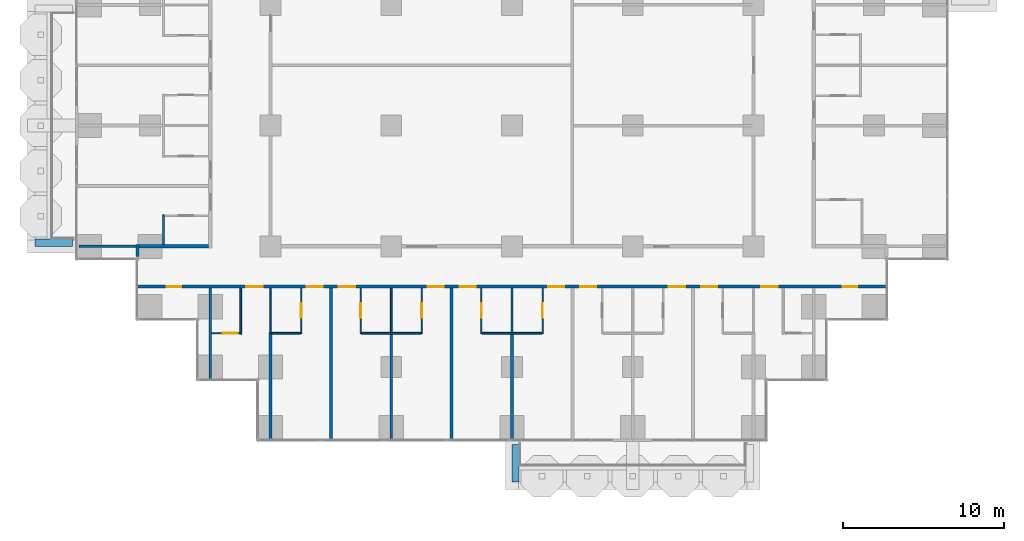
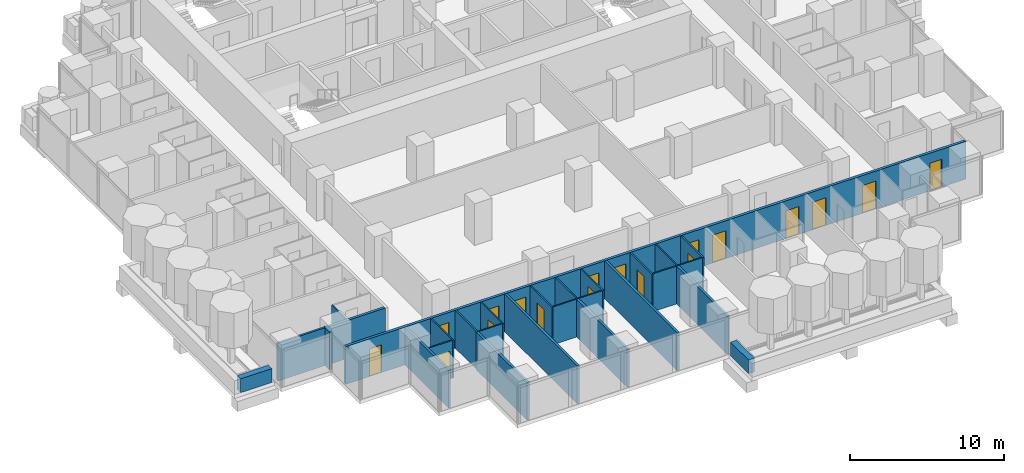
# One storey, part 11 of 20: 26 walls, 18 doors, 18 openings.
"""IFC4 building model written with IfcOpenShell, lengths in metres."""

from ifc_helpers import new_model, si_unit, direction, frame, frame_2d, origin, place, context, subcontext, project, spatial, rectangle, extrude, material, layer, layer_set, type_object, element, fill, save


model = new_model("IFC4")

# Units and contexts
model_context = context("Model", 3, precision=1e-05, world=origin(), true_north=direction((0.0, 1.0)))
body_context = subcontext(model_context, "Body", "Model", "MODEL_VIEW")
ifc_project = project(units=[si_unit("LENGTHUNIT", "METRE"), si_unit("AREAUNIT", "SQUARE_METRE"), si_unit("VOLUMEUNIT", "CUBIC_METRE"), si_unit("PLANEANGLEUNIT", "RADIAN"), si_unit("MASSUNIT", "GRAM", prefix="KILO")], contexts=[model_context])

# Site, building, storey
site_placement = place(None, origin())
site = spatial("IfcSite", under=ifc_project, at=site_placement, CompositionType="ELEMENT")
building_placement = place(site_placement, origin())
building = spatial("IfcBuilding", under=site, at=building_placement, Name="Pilkhan Gate Tower", CompositionType="ELEMENT")
storey_placement = place(building_placement, frame((0.0, 0.0, 85.699951171875)))
storey = spatial("IfcBuildingStorey", under=building, at=storey_placement, Name="L20", CompositionType="ELEMENT", Elevation=85.699951171875)

# Walls
ifc_material_1 = material(Name="Dense blockwork", Category="masonry")
ifc_layer_1 = layer(ifc_material_1, 0.175048828125)
ifc_layer_set_1 = layer_set([ifc_layer_1], Name="Acoustic party wall PW175")
wall_type_1 = type_object("IfcWallType", Name="Acoustic party wall PW175", PredefinedType="PARTITIONING", material=ifc_layer_set_1)
wall_1_placement = place(storey_placement, frame((60.0, 40.485107421875, 0.0), z_axis=(0.0, 0.0, 1.0), x_axis=(0.0, 1.0, 0.0)))
element("IfcWall", 1, at=wall_1_placement, inside=storey, type_object=wall_type_1, Name="Partition L20", PredefinedType="PARTITIONING", context=body_context, shape_type="SweptSolid", body=[
    extrude(rectangle(XDim=6.664794921875, YDim=0.175048828125, at=frame_2d((3.33251953125, 0.0))), origin(), (0.0, 0.0, 1.0), 3.0),
])
wall_2_placement = place(storey_placement, frame((63.75, 40.485107421875, 0.0), z_axis=(0.0, 0.0, 1.0), x_axis=(0.0, 1.0, 0.0)))
element("IfcWall", 2, at=wall_2_placement, inside=storey, type_object=wall_type_1, Name="Partition L20", PredefinedType="PARTITIONING", context=body_context, shape_type="SweptSolid", body=[
    extrude(rectangle(XDim=9.414794921875, YDim=0.175048828125, at=frame_2d((4.70751953125, 0.0))), origin(), (0.0, 0.0, 1.0), 3.0),
])
wall_3_placement = place(storey_placement, frame((67.5, 40.485107421875, 0.0), z_axis=(0.0, 0.0, 1.0), x_axis=(0.0, 1.0, 0.0)))
element("IfcWall", 3, at=wall_3_placement, inside=storey, type_object=wall_type_1, Name="Partition L20", PredefinedType="PARTITIONING", context=body_context, shape_type="SweptSolid", body=[
    extrude(rectangle(XDim=6.56494140625, YDim=0.175048828125, at=frame_2d((3.282470703125, 0.0))), origin(), (0.0, 0.0, 1.0), 3.0),
])
wall_4_placement = place(storey_placement, frame((71.25, 40.485107421875, 0.0), z_axis=(0.0, 0.0, 1.0), x_axis=(0.0, 1.0, 0.0)))
element("IfcWall", 4, at=wall_4_placement, inside=storey, type_object=wall_type_1, Name="Partition L20", PredefinedType="PARTITIONING", context=body_context, shape_type="SweptSolid", body=[
    extrude(rectangle(XDim=9.414794921875, YDim=0.175048828125, at=frame_2d((4.70751953125, 0.0))), origin(), (0.0, 0.0, 1.0), 3.0),
])
wall_5_placement = place(storey_placement, frame((75.0, 40.485107421875, 0.0), z_axis=(0.0, 0.0, 1.0), x_axis=(0.0, 1.0, 0.0)))
element("IfcWall", 5, at=wall_5_placement, inside=storey, type_object=wall_type_1, Name="Partition L20", PredefinedType="PARTITIONING", context=body_context, shape_type="SweptSolid", body=[
    extrude(rectangle(XDim=6.56494140625, YDim=0.175048828125, at=frame_2d((3.282470703125, 0.0))), origin(), (0.0, 0.0, 1.0), 3.0),
])
ifc_material_2 = material(Name="Board-marked Concrete C40/50", Category="concrete")
ifc_layer_2 = layer(ifc_material_2, 0.449951171875)
ifc_layer_set_2 = layer_set([ifc_layer_2], Name="Balcony planter lip BL450")
wall_type_2 = type_object("IfcWallType", Name="Balcony planter lip BL450", PredefinedType="USERDEFINED", material=ifc_layer_set_2)
for number, where, z_axis, x_axis, name in (
    (6, (75.22509765625, 40.199951171875, 0.0), (0.0, 0.0, 1.0), (0.0, -1.0, 0.0), "Balcony planter L20 S"),
    (7, (47.699951171875, 52.72509765625, 0.0), (0.0, 0.0, 1.0), (-1.0, 0.0, 0.0), "Balcony planter L20 W"),
):
    element("IfcWall", number, at=place(storey_placement, frame(where, z_axis=z_axis, x_axis=x_axis)), inside=storey, type_object=wall_type_2, Name=name, ObjectType="BALCONY PLANTER", PredefinedType="USERDEFINED", context=body_context, shape_type="SweptSolid", body=[
        extrude(rectangle(XDim=2.349853515625, YDim=0.449951171875, at=frame_2d((1.1748046875, 0.0))), origin(), (0.0, 0.0, 1.0), 1.10009765625),
    ])

# Wall, openings, doors
ifc_layer_3 = layer(ifc_material_1, 0.199951171875)
ifc_layer_set_3 = layer_set([ifc_layer_3], Name="Corridor wall FW200")
wall_type_3 = type_object("IfcWallType", Name="Corridor wall FW200", PredefinedType="PARTITIONING", material=ifc_layer_set_3)
wall_6_placement = place(storey_placement, frame((51.735107421875, 50.0, 0.0), z_axis=(0.0, 0.0, 1.0), x_axis=(1.0, 0.0, 0.0)))
wall_6 = element("IfcWall", 8, at=wall_6_placement, inside=storey, type_object=wall_type_3, Name="Partition L20", PredefinedType="PARTITIONING", context=body_context, shape_type="SweptSolid", body=[
    extrude(rectangle(XDim=46.52978515625, YDim=0.199951171875, at=frame_2d((23.264892578125, 0.0))), origin(), (0.0, 0.0, 1.0), 3.0),
])
opening_1_placement = place(wall_6_placement, frame((6.764892578125, 0.0, 0.0)))
opening_1 = element("IfcOpeningElement", 9, at=opening_1_placement, cuts=wall_6, Name="Opening L20-06", PredefinedType="OPENING", context=body_context, shape_type="SweptSolid", body=[
    extrude(rectangle(XDim=1.0, YDim=2.199951171875, at=frame_2d((0.5, 1.10009765625))), frame((0.0, 0.10986328125, 0.0), z_axis=(0.0, -1.0, 0.0), x_axis=(1.0, 0.0, 0.0)), (0.0, 0.0, 1.0), 0.219970703125),
])
opening_2_placement = place(wall_6_placement, frame((10.514892578125, 0.0, 0.0)))
opening_2 = element("IfcOpeningElement", 10, at=opening_2_placement, cuts=wall_6, Name="Opening L20-08", PredefinedType="OPENING", context=body_context, shape_type="SweptSolid", body=[
    extrude(rectangle(XDim=1.0, YDim=2.199951171875, at=frame_2d((0.5, 1.10009765625))), frame((0.0, 0.10986328125, 0.0), z_axis=(0.0, -1.0, 0.0), x_axis=(1.0, 0.0, 0.0)), (0.0, 0.0, 1.0), 0.219970703125),
])
opening_3_placement = place(wall_6_placement, frame((12.514892578125, 0.0, 0.0)))
opening_3 = element("IfcOpeningElement", 11, at=opening_3_placement, cuts=wall_6, Name="Opening L20-10", PredefinedType="OPENING", context=body_context, shape_type="SweptSolid", body=[
    extrude(rectangle(XDim=1.0, YDim=2.199951171875, at=frame_2d((0.5, 1.10009765625))), frame((0.0, 0.10986328125, 0.0), z_axis=(0.0, -1.0, 0.0), x_axis=(1.0, 0.0, 0.0)), (0.0, 0.0, 1.0), 0.219970703125),
])
opening_4_placement = place(wall_6_placement, frame((18.014892578125, 0.0, 0.0)))
opening_4 = element("IfcOpeningElement", 12, at=opening_4_placement, cuts=wall_6, Name="Opening L20-12", PredefinedType="OPENING", context=body_context, shape_type="SweptSolid", body=[
    extrude(rectangle(XDim=1.0, YDim=2.199951171875, at=frame_2d((0.5, 1.10009765625))), frame((0.0, 0.10986328125, 0.0), z_axis=(0.0, -1.0, 0.0), x_axis=(1.0, 0.0, 0.0)), (0.0, 0.0, 1.0), 0.219970703125),
])
opening_5_placement = place(wall_6_placement, frame((20.014892578125, 0.0, 0.0)))
opening_5 = element("IfcOpeningElement", 13, at=opening_5_placement, cuts=wall_6, Name="Opening L20-14", PredefinedType="OPENING", context=body_context, shape_type="SweptSolid", body=[
    extrude(rectangle(XDim=1.0, YDim=2.199951171875, at=frame_2d((0.5, 1.10009765625))), frame((0.0, 0.10986328125, 0.0), z_axis=(0.0, -1.0, 0.0), x_axis=(1.0, 0.0, 0.0)), (0.0, 0.0, 1.0), 0.219970703125),
])
opening_6_placement = place(wall_6_placement, frame((25.514892578125, 0.0, 0.0)))
opening_6 = element("IfcOpeningElement", 14, at=opening_6_placement, cuts=wall_6, Name="Opening L20-16", PredefinedType="OPENING", context=body_context, shape_type="SweptSolid", body=[
    extrude(rectangle(XDim=1.0, YDim=2.199951171875, at=frame_2d((0.5, 1.10009765625))), frame((0.0, 0.10986328125, 0.0), z_axis=(0.0, -1.0, 0.0), x_axis=(1.0, 0.0, 0.0)), (0.0, 0.0, 1.0), 0.219970703125),
])
opening_7_placement = place(wall_6_placement, frame((27.514892578125, 0.0, 0.0)))
opening_7 = element("IfcOpeningElement", 15, at=opening_7_placement, cuts=wall_6, Name="Opening L20-18", PredefinedType="OPENING", context=body_context, shape_type="SweptSolid", body=[
    extrude(rectangle(XDim=1.0, YDim=2.199951171875, at=frame_2d((0.5, 1.10009765625))), frame((0.0, 0.10986328125, 0.0), z_axis=(0.0, -1.0, 0.0), x_axis=(1.0, 0.0, 0.0)), (0.0, 0.0, 1.0), 0.219970703125),
])
opening_8_placement = place(wall_6_placement, frame((33.014892578125, 0.0, 0.0)))
opening_8 = element("IfcOpeningElement", 16, at=opening_8_placement, cuts=wall_6, Name="Opening L20-20", PredefinedType="OPENING", context=body_context, shape_type="SweptSolid", body=[
    extrude(rectangle(XDim=1.0, YDim=2.199951171875, at=frame_2d((0.5, 1.10009765625))), frame((0.0, 0.10986328125, 0.0), z_axis=(0.0, -1.0, 0.0), x_axis=(1.0, 0.0, 0.0)), (0.0, 0.0, 1.0), 0.219970703125),
])
opening_9_placement = place(wall_6_placement, frame((35.014892578125, 0.0, 0.0)))
opening_9 = element("IfcOpeningElement", 17, at=opening_9_placement, cuts=wall_6, Name="Opening L20-22", PredefinedType="OPENING", context=body_context, shape_type="SweptSolid", body=[
    extrude(rectangle(XDim=1.0, YDim=2.199951171875, at=frame_2d((0.5, 1.10009765625))), frame((0.0, 0.10986328125, 0.0), z_axis=(0.0, -1.0, 0.0), x_axis=(1.0, 0.0, 0.0)), (0.0, 0.0, 1.0), 0.219970703125),
])
opening_10_placement = place(wall_6_placement, frame((38.764892578125, 0.0, 0.0)))
opening_10 = element("IfcOpeningElement", 18, at=opening_10_placement, cuts=wall_6, Name="Opening L20-24", PredefinedType="OPENING", context=body_context, shape_type="SweptSolid", body=[
    extrude(rectangle(XDim=1.0, YDim=2.199951171875, at=frame_2d((0.5, 1.10009765625))), frame((0.0, 0.10986328125, 0.0), z_axis=(0.0, -1.0, 0.0), x_axis=(1.0, 0.0, 0.0)), (0.0, 0.0, 1.0), 0.219970703125),
])
opening_11_placement = place(wall_6_placement, frame((1.800048828125, 0.0, 0.0)))
opening_11 = element("IfcOpeningElement", 19, at=opening_11_placement, cuts=wall_6, Name="Opening L20-59", PredefinedType="OPENING", context=body_context, shape_type="SweptSolid", body=[
    extrude(rectangle(XDim=0.89990234375, YDim=2.199951171875, at=frame_2d((0.449951171875, 1.10009765625))), frame((0.0, 0.10986328125, 0.0), z_axis=(0.0, -1.0, 0.0), x_axis=(1.0, 0.0, 0.0)), (0.0, 0.0, 1.0), 0.219970703125),
])
opening_12_placement = place(wall_6_placement, frame((43.81494140625, 0.0, 0.0)))
opening_12 = element("IfcOpeningElement", 20, at=opening_12_placement, cuts=wall_6, Name="Opening L20-60", PredefinedType="OPENING", context=body_context, shape_type="SweptSolid", body=[
    extrude(rectangle(XDim=0.89990234375, YDim=2.199951171875, at=frame_2d((0.449951171875, 1.10009765625))), frame((0.0, 0.10986328125, 0.0), z_axis=(0.0, -1.0, 0.0), x_axis=(1.0, 0.0, 0.0)), (0.0, 0.0, 1.0), 0.219970703125),
])
ifc_material_3 = material(Name="Timber flush door, 30 minute fire resisting", Category="wood")
door_type_1 = type_object("IfcDoorType", Name="Guest room door D01 1000x2200", OperationType="SINGLE_SWING_LEFT", PredefinedType="DOOR", material=ifc_material_3)
door_1_placement = place(opening_1_placement, origin())
door_1 = element("IfcDoor", 21, at=door_1_placement, inside=storey, type_object=door_type_1, Name="Guest room door", OperationType="SINGLE_SWING_LEFT", OverallHeight=2.199951171875, OverallWidth=1.0, PredefinedType="DOOR", context=body_context, shape_type="SweptSolid", body=[
    extrude(rectangle(XDim=1.0, YDim=2.199951171875, at=frame_2d((0.5, 1.10009765625))), frame((0.0, 0.02490234375, 0.0), z_axis=(0.0, -1.0, 0.0), x_axis=(1.0, 0.0, 0.0)), (0.0, 0.0, 1.0), 0.050048828125),
])
fill(opening_1, door_1)
door_2_placement = place(opening_2_placement, origin())
door_2 = element("IfcDoor", 22, at=door_2_placement, inside=storey, type_object=door_type_1, Name="Guest room door", OperationType="SINGLE_SWING_RIGHT", OverallHeight=2.199951171875, OverallWidth=1.0, PredefinedType="DOOR", context=body_context, shape_type="SweptSolid", body=[
    extrude(rectangle(XDim=1.0, YDim=2.199951171875, at=frame_2d((0.5, 1.10009765625))), frame((0.0, 0.02490234375, 0.0), z_axis=(0.0, -1.0, 0.0), x_axis=(1.0, 0.0, 0.0)), (0.0, 0.0, 1.0), 0.050048828125),
])
fill(opening_2, door_2)
door_3_placement = place(opening_3_placement, origin())
door_3 = element("IfcDoor", 23, at=door_3_placement, inside=storey, type_object=door_type_1, Name="Guest room door", OperationType="SINGLE_SWING_LEFT", OverallHeight=2.199951171875, OverallWidth=1.0, PredefinedType="DOOR", context=body_context, shape_type="SweptSolid", body=[
    extrude(rectangle(XDim=1.0, YDim=2.199951171875, at=frame_2d((0.5, 1.10009765625))), frame((0.0, 0.02490234375, 0.0), z_axis=(0.0, -1.0, 0.0), x_axis=(1.0, 0.0, 0.0)), (0.0, 0.0, 1.0), 0.050048828125),
])
fill(opening_3, door_3)
door_4_placement = place(opening_4_placement, origin())
door_4 = element("IfcDoor", 24, at=door_4_placement, inside=storey, type_object=door_type_1, Name="Guest room door", OperationType="SINGLE_SWING_LEFT", OverallHeight=2.199951171875, OverallWidth=1.0, PredefinedType="DOOR", context=body_context, shape_type="SweptSolid", body=[
    extrude(rectangle(XDim=1.0, YDim=2.199951171875, at=frame_2d((0.5, 1.10009765625))), frame((0.0, 0.02490234375, 0.0), z_axis=(0.0, -1.0, 0.0), x_axis=(1.0, 0.0, 0.0)), (0.0, 0.0, 1.0), 0.050048828125),
])
fill(opening_4, door_4)
door_5_placement = place(opening_5_placement, origin())
door_5 = element("IfcDoor", 25, at=door_5_placement, inside=storey, type_object=door_type_1, Name="Guest room door", OperationType="SINGLE_SWING_LEFT", OverallHeight=2.199951171875, OverallWidth=1.0, PredefinedType="DOOR", context=body_context, shape_type="SweptSolid", body=[
    extrude(rectangle(XDim=1.0, YDim=2.199951171875, at=frame_2d((0.5, 1.10009765625))), frame((0.0, 0.02490234375, 0.0), z_axis=(0.0, -1.0, 0.0), x_axis=(1.0, 0.0, 0.0)), (0.0, 0.0, 1.0), 0.050048828125),
])
fill(opening_5, door_5)
door_6_placement = place(opening_6_placement, origin())
door_6 = element("IfcDoor", 26, at=door_6_placement, inside=storey, type_object=door_type_1, Name="Guest room door", OperationType="SINGLE_SWING_RIGHT", OverallHeight=2.199951171875, OverallWidth=1.0, PredefinedType="DOOR", context=body_context, shape_type="SweptSolid", body=[
    extrude(rectangle(XDim=1.0, YDim=2.199951171875, at=frame_2d((0.5, 1.10009765625))), frame((0.0, 0.02490234375, 0.0), z_axis=(0.0, -1.0, 0.0), x_axis=(1.0, 0.0, 0.0)), (0.0, 0.0, 1.0), 0.050048828125),
])
fill(opening_6, door_6)
door_7_placement = place(opening_7_placement, origin())
door_7 = element("IfcDoor", 27, at=door_7_placement, inside=storey, type_object=door_type_1, Name="Guest room door", OperationType="SINGLE_SWING_LEFT", OverallHeight=2.199951171875, OverallWidth=1.0, PredefinedType="DOOR", context=body_context, shape_type="SweptSolid", body=[
    extrude(rectangle(XDim=1.0, YDim=2.199951171875, at=frame_2d((0.5, 1.10009765625))), frame((0.0, 0.02490234375, 0.0), z_axis=(0.0, -1.0, 0.0), x_axis=(1.0, 0.0, 0.0)), (0.0, 0.0, 1.0), 0.050048828125),
])
fill(opening_7, door_7)
door_8_placement = place(opening_8_placement, origin())
door_8 = element("IfcDoor", 28, at=door_8_placement, inside=storey, type_object=door_type_1, Name="Guest room door", OperationType="SINGLE_SWING_RIGHT", OverallHeight=2.199951171875, OverallWidth=1.0, PredefinedType="DOOR", context=body_context, shape_type="SweptSolid", body=[
    extrude(rectangle(XDim=1.0, YDim=2.199951171875, at=frame_2d((0.5, 1.10009765625))), frame((0.0, 0.02490234375, 0.0), z_axis=(0.0, -1.0, 0.0), x_axis=(1.0, 0.0, 0.0)), (0.0, 0.0, 1.0), 0.050048828125),
])
fill(opening_8, door_8)
door_9_placement = place(opening_9_placement, origin())
door_9 = element("IfcDoor", 29, at=door_9_placement, inside=storey, type_object=door_type_1, Name="Guest room door", OperationType="SINGLE_SWING_LEFT", OverallHeight=2.199951171875, OverallWidth=1.0, PredefinedType="DOOR", context=body_context, shape_type="SweptSolid", body=[
    extrude(rectangle(XDim=1.0, YDim=2.199951171875, at=frame_2d((0.5, 1.10009765625))), frame((0.0, 0.02490234375, 0.0), z_axis=(0.0, -1.0, 0.0), x_axis=(1.0, 0.0, 0.0)), (0.0, 0.0, 1.0), 0.050048828125),
])
fill(opening_9, door_9)
door_10_placement = place(opening_10_placement, origin())
door_10 = element("IfcDoor", 30, at=door_10_placement, inside=storey, type_object=door_type_1, Name="Guest room door", OperationType="SINGLE_SWING_LEFT", OverallHeight=2.199951171875, OverallWidth=1.0, PredefinedType="DOOR", context=body_context, shape_type="SweptSolid", body=[
    extrude(rectangle(XDim=1.0, YDim=2.199951171875, at=frame_2d((0.5, 1.10009765625))), frame((0.0, 0.02490234375, 0.0), z_axis=(0.0, -1.0, 0.0), x_axis=(1.0, 0.0, 0.0)), (0.0, 0.0, 1.0), 0.050048828125),
])
fill(opening_10, door_10)
ifc_material_4 = material(Name="Timber flush door, 60 minute fire resisting, self-closing", Category="wood")
door_type_2 = type_object("IfcDoorType", Name="Store door D05 900x2200", OperationType="SINGLE_SWING_LEFT", PredefinedType="DOOR", material=ifc_material_4)
door_11_placement = place(opening_11_placement, origin())
door_11 = element("IfcDoor", 31, at=door_11_placement, inside=storey, type_object=door_type_2, Name="Store door", OperationType="SINGLE_SWING_LEFT", OverallHeight=2.199951171875, OverallWidth=0.89990234375, PredefinedType="DOOR", context=body_context, shape_type="SweptSolid", body=[
    extrude(rectangle(XDim=0.89990234375, YDim=2.199951171875, at=frame_2d((0.449951171875, 1.10009765625))), frame((0.0, 0.02490234375, 0.0), z_axis=(0.0, -1.0, 0.0), x_axis=(1.0, 0.0, 0.0)), (0.0, 0.0, 1.0), 0.050048828125),
])
fill(opening_11, door_11)
door_12_placement = place(opening_12_placement, origin())
door_12 = element("IfcDoor", 32, at=door_12_placement, inside=storey, type_object=door_type_2, Name="Store door", OperationType="SINGLE_SWING_LEFT", OverallHeight=2.199951171875, OverallWidth=0.89990234375, PredefinedType="DOOR", context=body_context, shape_type="SweptSolid", body=[
    extrude(rectangle(XDim=0.89990234375, YDim=2.199951171875, at=frame_2d((0.449951171875, 1.10009765625))), frame((0.0, 0.02490234375, 0.0), z_axis=(0.0, -1.0, 0.0), x_axis=(1.0, 0.0, 0.0)), (0.0, 0.0, 1.0), 0.050048828125),
])
fill(opening_12, door_12)

# Walls
wall_7_placement = place(storey_placement, frame((51.8349609375, 52.5, 0.0), z_axis=(0.0, 0.0, 1.0), x_axis=(1.0, 0.0, 0.0)))
element("IfcWall", 33, at=wall_7_placement, inside=storey, type_object=wall_type_3, Name="Partition L20", PredefinedType="PARTITIONING", context=body_context, shape_type="SweptSolid", body=[
    extrude(rectangle(XDim=4.31494140625, YDim=0.199951171875, at=frame_2d((2.157470703125, 0.0))), origin(), (0.0, 0.0, 1.0), 3.0),
])
wall_8_placement = place(storey_placement, frame((51.735107421875, 51.85498046875, 0.0), z_axis=(0.0, 0.0, 1.0), x_axis=(0.0, 1.0, 0.0)))
element("IfcWall", 34, at=wall_8_placement, inside=storey, type_object=wall_type_3, Name="Partition L20", PredefinedType="PARTITIONING", context=body_context, shape_type="SweptSolid", body=[
    extrude(rectangle(XDim=0.7451171875, YDim=0.199951171875, at=frame_2d((0.37255859375, 0.0))), origin(), (0.0, 0.0, 1.0), 3.0),
])
ifc_material_5 = material(Name="Blockwork partition, plastered both sides", Category="masonry")
ifc_layer_4 = layer(ifc_material_5, 0.14990234375)
ifc_layer_set_4 = layer_set([ifc_layer_4], Name="Partition PW150")
wall_type_4 = type_object("IfcWallType", Name="Partition PW150", PredefinedType="PARTITIONING", material=ifc_layer_set_4)
wall_9_placement = place(storey_placement, frame((48.10498046875, 52.5, 0.0), z_axis=(0.0, 0.0, 1.0), x_axis=(1.0, 0.0, 0.0)))
element("IfcWall", 35, at=wall_9_placement, inside=storey, type_object=wall_type_4, Name="Partition L20", PredefinedType="PARTITIONING", context=body_context, shape_type="SweptSolid", body=[
    extrude(rectangle(XDim=3.530029296875, YDim=0.14990234375, at=frame_2d((1.76513671875, 0.0))), origin(), (0.0, 0.0, 1.0), 3.0),
])
wall_10_placement = place(storey_placement, frame((56.25, 44.235107421875, 0.0), z_axis=(0.0, 0.0, 1.0), x_axis=(0.0, 1.0, 0.0)))
element("IfcWall", 36, at=wall_10_placement, inside=storey, type_object=wall_type_4, Name="Partition L20", PredefinedType="PARTITIONING", context=body_context, shape_type="SweptSolid", body=[
    extrude(rectangle(XDim=5.664794921875, YDim=0.14990234375, at=frame_2d((2.83251953125, 0.0))), origin(), (0.0, 0.0, 1.0), 3.0),
])

# Wall, opening, door
ifc_material_6 = material(Name="Moisture resistant board, tiled")
ifc_layer_5 = layer(ifc_material_6, 0.10009765625)
ifc_layer_set_5 = layer_set([ifc_layer_5], Name="Wet wall PW100")
wall_type_5 = type_object("IfcWallType", Name="Wet wall PW100", PredefinedType="PARTITIONING", material=ifc_layer_set_5)
wall_11_placement = place(storey_placement, frame((56.324951171875, 47.10009765625, 0.0), z_axis=(0.0, 0.0, 1.0), x_axis=(1.0, 0.0, 0.0)))
wall_11 = element("IfcWall", 37, at=wall_11_placement, inside=storey, type_object=wall_type_5, Name="Partition L20", PredefinedType="PARTITIONING", context=body_context, shape_type="SweptSolid", body=[
    extrude(rectangle(XDim=1.775146484375, YDim=0.10009765625, at=frame_2d((0.8876953125, 0.0))), origin(), (0.0, 0.0, 1.0), 3.0),
])
opening_13_placement = place(wall_11_placement, frame((0.699951171875, 0.0, 0.0)))
opening_13 = element("IfcOpeningElement", 38, at=opening_13_placement, cuts=wall_11, Name="Opening L20-07", PredefinedType="OPENING", context=body_context, shape_type="SweptSolid", body=[
    extrude(rectangle(XDim=0.89990234375, YDim=2.199951171875, at=frame_2d((0.449951171875, 1.10009765625))), frame((0.0, 0.06005859375, 0.0), z_axis=(0.0, -1.0, 0.0), x_axis=(1.0, 0.0, 0.0)), (0.0, 0.0, 1.0), 0.1201171875),
])
ifc_material_7 = material(Name="Timber flush door", Category="wood")
door_type_3 = type_object("IfcDoorType", Name="Bathroom door D02 900x2200", OperationType="SINGLE_SWING_RIGHT", PredefinedType="DOOR", material=ifc_material_7)
door_13_placement = place(opening_13_placement, origin())
door_13 = element("IfcDoor", 39, at=door_13_placement, inside=storey, type_object=door_type_3, Name="Bathroom door", OperationType="SINGLE_SWING_RIGHT", OverallHeight=2.199951171875, OverallWidth=0.89990234375, PredefinedType="DOOR", context=body_context, shape_type="SweptSolid", body=[
    extrude(rectangle(XDim=0.89990234375, YDim=2.199951171875, at=frame_2d((0.449951171875, 1.10009765625))), frame((0.0, 0.02490234375, 0.0), z_axis=(0.0, -1.0, 0.0), x_axis=(1.0, 0.0, 0.0)), (0.0, 0.0, 1.0), 0.050048828125),
])
fill(opening_13, door_13)

# Walls
wall_12_placement = place(storey_placement, frame((60.087890625, 47.10009765625, 0.0), z_axis=(0.0, 0.0, 1.0), x_axis=(1.0, 0.0, 0.0)))
element("IfcWall", 40, at=wall_12_placement, inside=storey, type_object=wall_type_5, Name="Partition L20", PredefinedType="PARTITIONING", context=body_context, shape_type="SweptSolid", body=[
    extrude(rectangle(XDim=1.76220703125, YDim=0.10009765625, at=frame_2d((0.881103515625, 0.0))), origin(), (0.0, 0.0, 1.0), 3.0),
])
for number, where, z_axis, x_axis, name in (
    (41, (65.64990234375, 47.10009765625, 0.0), (0.0, 0.0, 1.0), (1.0, 0.0, 0.0), "Partition L20"),
    (42, (73.14990234375, 47.10009765625, 0.0), (0.0, 0.0, 1.0), (1.0, 0.0, 0.0), "Partition L20"),
):
    element("IfcWall", number, at=place(storey_placement, frame(where, z_axis=z_axis, x_axis=x_axis)), inside=storey, type_object=wall_type_5, Name=name, PredefinedType="PARTITIONING", context=body_context, shape_type="SweptSolid", body=[
        extrude(rectangle(XDim=3.7001953125, YDim=0.10009765625, at=frame_2d((1.85009765625, 0.0))), origin(), (0.0, 0.0, 1.0), 3.0),
    ])
wall_13_placement = place(storey_placement, frame((53.35009765625, 52.60009765625, 0.0), z_axis=(0.0, 0.0, 1.0), x_axis=(0.0, 1.0, 0.0)))
element("IfcWall", 43, at=wall_13_placement, inside=storey, type_object=wall_type_5, Name="Partition L20", PredefinedType="PARTITIONING", context=body_context, shape_type="SweptSolid", body=[
    extrude(rectangle(XDim=1.849853515625, YDim=0.10009765625, at=frame_2d((0.9248046875, 0.0))), origin(), (0.0, 0.0, 1.0), 3.0),
])
wall_14_placement = place(storey_placement, frame((58.14990234375, 47.050048828125, 0.0), z_axis=(0.0, 0.0, 1.0), x_axis=(0.0, 1.0, 0.0)))
element("IfcWall", 44, at=wall_14_placement, inside=storey, type_object=wall_type_5, Name="Partition L20", PredefinedType="PARTITIONING", context=body_context, shape_type="SweptSolid", body=[
    extrude(rectangle(XDim=2.849853515625, YDim=0.10009765625, at=frame_2d((1.4248046875, 0.0))), origin(), (0.0, 0.0, 1.0), 3.0),
])
wall_15_placement = place(storey_placement, frame((60.0, 47.10009765625, 0.0), z_axis=(0.0, 0.0, 1.0), x_axis=(0.0, 1.0, 0.0)))
element("IfcWall", 45, at=wall_15_placement, inside=storey, type_object=wall_type_5, Name="Partition L20", PredefinedType="PARTITIONING", context=body_context, shape_type="SweptSolid", body=[
    extrude(rectangle(XDim=2.7998046875, YDim=0.10009765625, at=frame_2d((1.39990234375, 0.0))), origin(), (0.0, 0.0, 1.0), 3.0),
])

# Wall, opening, door
wall_16_placement = place(storey_placement, frame((61.89990234375, 47.050048828125, 0.0), z_axis=(0.0, 0.0, 1.0), x_axis=(0.0, 1.0, 0.0)))
wall_16 = element("IfcWall", 46, at=wall_16_placement, inside=storey, type_object=wall_type_5, Name="Partition L20", PredefinedType="PARTITIONING", context=body_context, shape_type="SweptSolid", body=[
    extrude(rectangle(XDim=2.849853515625, YDim=0.10009765625, at=frame_2d((1.4248046875, 0.0))), origin(), (0.0, 0.0, 1.0), 3.0),
])
opening_14_placement = place(wall_16_placement, frame((1.0, 0.0, 0.0)))
opening_14 = element("IfcOpeningElement", 47, at=opening_14_placement, cuts=wall_16, Name="Opening L20-09", PredefinedType="OPENING", context=body_context, shape_type="SweptSolid", body=[
    extrude(rectangle(XDim=0.89990234375, YDim=2.199951171875, at=frame_2d((0.449951171875, 1.10009765625))), frame((0.0, 0.06005859375, 0.0), z_axis=(0.0, -1.0, 0.0), x_axis=(1.0, 0.0, 0.0)), (0.0, 0.0, 1.0), 0.1201171875),
])
door_14_placement = place(opening_14_placement, origin())
door_14 = element("IfcDoor", 48, at=door_14_placement, inside=storey, type_object=door_type_3, Name="Bathroom door", OperationType="SINGLE_SWING_RIGHT", OverallHeight=2.199951171875, OverallWidth=0.89990234375, PredefinedType="DOOR", context=body_context, shape_type="SweptSolid", body=[
    extrude(rectangle(XDim=0.89990234375, YDim=2.199951171875, at=frame_2d((0.449951171875, 1.10009765625))), frame((0.0, 0.02490234375, 0.0), z_axis=(0.0, -1.0, 0.0), x_axis=(1.0, 0.0, 0.0)), (0.0, 0.0, 1.0), 0.050048828125),
])
fill(opening_14, door_14)

wall_17_placement = place(storey_placement, frame((65.60009765625, 47.050048828125, 0.0), z_axis=(0.0, 0.0, 1.0), x_axis=(0.0, 1.0, 0.0)))
wall_17 = element("IfcWall", 49, at=wall_17_placement, inside=storey, type_object=wall_type_5, Name="Partition L20", PredefinedType="PARTITIONING", context=body_context, shape_type="SweptSolid", body=[
    extrude(rectangle(XDim=2.849853515625, YDim=0.10009765625, at=frame_2d((1.4248046875, 0.0))), origin(), (0.0, 0.0, 1.0), 3.0),
])
opening_15_placement = place(wall_17_placement, frame((1.0, 0.0, 0.0)))
opening_15 = element("IfcOpeningElement", 50, at=opening_15_placement, cuts=wall_17, Name="Opening L20-11", PredefinedType="OPENING", context=body_context, shape_type="SweptSolid", body=[
    extrude(rectangle(XDim=0.89990234375, YDim=2.199951171875, at=frame_2d((0.449951171875, 1.10009765625))), frame((0.0, 0.06005859375, 0.0), z_axis=(0.0, -1.0, 0.0), x_axis=(1.0, 0.0, 0.0)), (0.0, 0.0, 1.0), 0.1201171875),
])
door_15_placement = place(opening_15_placement, origin())
door_15 = element("IfcDoor", 51, at=door_15_placement, inside=storey, type_object=door_type_3, Name="Bathroom door", OperationType="SINGLE_SWING_RIGHT", OverallHeight=2.199951171875, OverallWidth=0.89990234375, PredefinedType="DOOR", context=body_context, shape_type="SweptSolid", body=[
    extrude(rectangle(XDim=0.89990234375, YDim=2.199951171875, at=frame_2d((0.449951171875, 1.10009765625))), frame((0.0, 0.02490234375, 0.0), z_axis=(0.0, -1.0, 0.0), x_axis=(1.0, 0.0, 0.0)), (0.0, 0.0, 1.0), 0.050048828125),
])
fill(opening_15, door_15)

# Wall
wall_18_placement = place(storey_placement, frame((67.5, 47.14990234375, 0.0), z_axis=(0.0, 0.0, 1.0), x_axis=(0.0, 1.0, 0.0)))
element("IfcWall", 52, at=wall_18_placement, inside=storey, type_object=wall_type_5, Name="Partition L20", PredefinedType="PARTITIONING", context=body_context, shape_type="SweptSolid", body=[
    extrude(rectangle(XDim=2.75, YDim=0.10009765625, at=frame_2d((1.375, 0.0))), origin(), (0.0, 0.0, 1.0), 3.0),
])

# Wall, opening, door
wall_19_placement = place(storey_placement, frame((69.39990234375, 47.050048828125, 0.0), z_axis=(0.0, 0.0, 1.0), x_axis=(0.0, 1.0, 0.0)))
wall_19 = element("IfcWall", 53, at=wall_19_placement, inside=storey, type_object=wall_type_5, Name="Partition L20", PredefinedType="PARTITIONING", context=body_context, shape_type="SweptSolid", body=[
    extrude(rectangle(XDim=2.849853515625, YDim=0.10009765625, at=frame_2d((1.4248046875, 0.0))), origin(), (0.0, 0.0, 1.0), 3.0),
])
opening_16_placement = place(wall_19_placement, frame((1.0, 0.0, 0.0)))
opening_16 = element("IfcOpeningElement", 54, at=opening_16_placement, cuts=wall_19, Name="Opening L20-13", PredefinedType="OPENING", context=body_context, shape_type="SweptSolid", body=[
    extrude(rectangle(XDim=0.89990234375, YDim=2.199951171875, at=frame_2d((0.449951171875, 1.10009765625))), frame((0.0, 0.06005859375, 0.0), z_axis=(0.0, -1.0, 0.0), x_axis=(1.0, 0.0, 0.0)), (0.0, 0.0, 1.0), 0.1201171875),
])
door_16_placement = place(opening_16_placement, origin())
door_16 = element("IfcDoor", 55, at=door_16_placement, inside=storey, type_object=door_type_3, Name="Bathroom door", OperationType="SINGLE_SWING_RIGHT", OverallHeight=2.199951171875, OverallWidth=0.89990234375, PredefinedType="DOOR", context=body_context, shape_type="SweptSolid", body=[
    extrude(rectangle(XDim=0.89990234375, YDim=2.199951171875, at=frame_2d((0.449951171875, 1.10009765625))), frame((0.0, 0.02490234375, 0.0), z_axis=(0.0, -1.0, 0.0), x_axis=(1.0, 0.0, 0.0)), (0.0, 0.0, 1.0), 0.050048828125),
])
fill(opening_16, door_16)

wall_20_placement = place(storey_placement, frame((73.10009765625, 47.050048828125, 0.0), z_axis=(0.0, 0.0, 1.0), x_axis=(0.0, 1.0, 0.0)))
wall_20 = element("IfcWall", 56, at=wall_20_placement, inside=storey, type_object=wall_type_5, Name="Partition L20", PredefinedType="PARTITIONING", context=body_context, shape_type="SweptSolid", body=[
    extrude(rectangle(XDim=2.849853515625, YDim=0.10009765625, at=frame_2d((1.4248046875, 0.0))), origin(), (0.0, 0.0, 1.0), 3.0),
])
opening_17_placement = place(wall_20_placement, frame((1.0, 0.0, 0.0)))
opening_17 = element("IfcOpeningElement", 57, at=opening_17_placement, cuts=wall_20, Name="Opening L20-15", PredefinedType="OPENING", context=body_context, shape_type="SweptSolid", body=[
    extrude(rectangle(XDim=0.89990234375, YDim=2.199951171875, at=frame_2d((0.449951171875, 1.10009765625))), frame((0.0, 0.06005859375, 0.0), z_axis=(0.0, -1.0, 0.0), x_axis=(1.0, 0.0, 0.0)), (0.0, 0.0, 1.0), 0.1201171875),
])
door_17_placement = place(opening_17_placement, origin())
door_17 = element("IfcDoor", 58, at=door_17_placement, inside=storey, type_object=door_type_3, Name="Bathroom door", OperationType="SINGLE_SWING_RIGHT", OverallHeight=2.199951171875, OverallWidth=0.89990234375, PredefinedType="DOOR", context=body_context, shape_type="SweptSolid", body=[
    extrude(rectangle(XDim=0.89990234375, YDim=2.199951171875, at=frame_2d((0.449951171875, 1.10009765625))), frame((0.0, 0.02490234375, 0.0), z_axis=(0.0, -1.0, 0.0), x_axis=(1.0, 0.0, 0.0)), (0.0, 0.0, 1.0), 0.050048828125),
])
fill(opening_17, door_17)

# Wall
wall_21_placement = place(storey_placement, frame((75.0, 47.14990234375, 0.0), z_axis=(0.0, 0.0, 1.0), x_axis=(0.0, 1.0, 0.0)))
element("IfcWall", 59, at=wall_21_placement, inside=storey, type_object=wall_type_5, Name="Partition L20", PredefinedType="PARTITIONING", context=body_context, shape_type="SweptSolid", body=[
    extrude(rectangle(XDim=2.75, YDim=0.10009765625, at=frame_2d((1.375, 0.0))), origin(), (0.0, 0.0, 1.0), 3.0),
])

# Wall, opening, door
wall_22_placement = place(storey_placement, frame((76.89990234375, 47.050048828125, 0.0), z_axis=(0.0, 0.0, 1.0), x_axis=(0.0, 1.0, 0.0)))
wall_22 = element("IfcWall", 60, at=wall_22_placement, inside=storey, type_object=wall_type_5, Name="Partition L20", PredefinedType="PARTITIONING", context=body_context, shape_type="SweptSolid", body=[
    extrude(rectangle(XDim=2.849853515625, YDim=0.10009765625, at=frame_2d((1.4248046875, 0.0))), origin(), (0.0, 0.0, 1.0), 3.0),
])
opening_18_placement = place(wall_22_placement, frame((1.0, 0.0, 0.0)))
opening_18 = element("IfcOpeningElement", 61, at=opening_18_placement, cuts=wall_22, Name="Opening L20-17", PredefinedType="OPENING", context=body_context, shape_type="SweptSolid", body=[
    extrude(rectangle(XDim=0.89990234375, YDim=2.199951171875, at=frame_2d((0.449951171875, 1.10009765625))), frame((0.0, 0.06005859375, 0.0), z_axis=(0.0, -1.0, 0.0), x_axis=(1.0, 0.0, 0.0)), (0.0, 0.0, 1.0), 0.1201171875),
])
door_18_placement = place(opening_18_placement, origin())
door_18 = element("IfcDoor", 62, at=door_18_placement, inside=storey, type_object=door_type_3, Name="Bathroom door", OperationType="SINGLE_SWING_RIGHT", OverallHeight=2.199951171875, OverallWidth=0.89990234375, PredefinedType="DOOR", context=body_context, shape_type="SweptSolid", body=[
    extrude(rectangle(XDim=0.89990234375, YDim=2.199951171875, at=frame_2d((0.449951171875, 1.10009765625))), frame((0.0, 0.02490234375, 0.0), z_axis=(0.0, -1.0, 0.0), x_axis=(1.0, 0.0, 0.0)), (0.0, 0.0, 1.0), 0.050048828125),
])
fill(opening_18, door_18)

save(model, "model.ifc")
